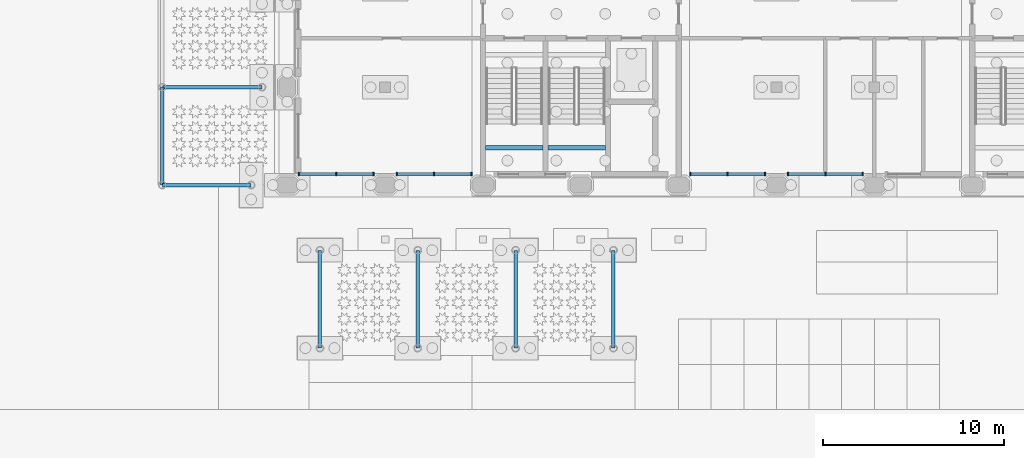
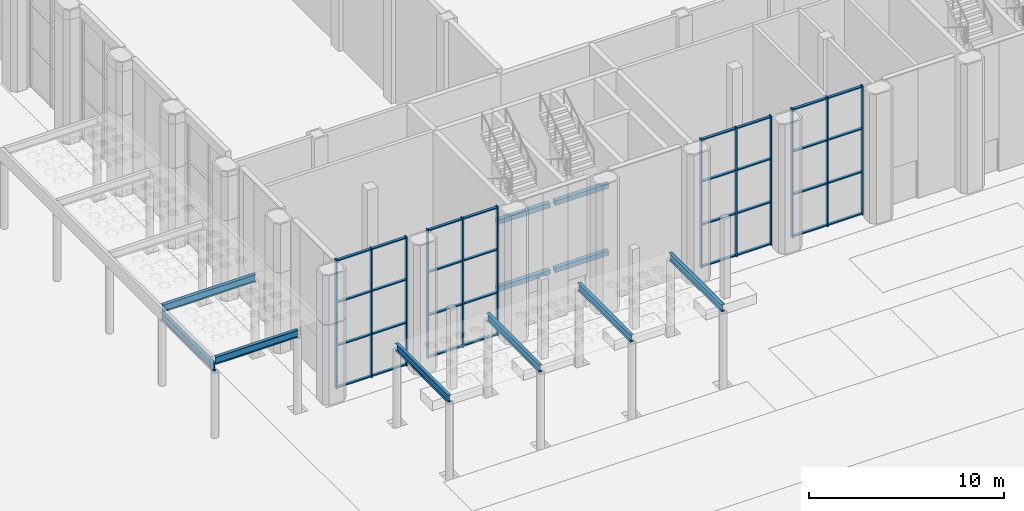
# One storey, part 11 of 54: 44 members, 11 beams, 4 elements without a shape of their own.
"""IFC4 building model written with IfcOpenShell, lengths in metres."""

from ifc_helpers import new_model, si_unit, direction, frame, origin, origin_2d, place, context, subcontext, project, spatial, rectangle, i_section, extrude, material, material_profile, profile_set, type_object, element, aggregate, save


model = new_model("IFC4")

# Units and contexts
model_context = context("Model", 3, precision=1e-05, world=origin(), true_north=direction((0.0, 1.0)))
body_context = subcontext(model_context, "Body", "Model", "MODEL_VIEW")
ifc_project = project(units=[si_unit("LENGTHUNIT", "METRE"), si_unit("AREAUNIT", "SQUARE_METRE"), si_unit("VOLUMEUNIT", "CUBIC_METRE"), si_unit("PLANEANGLEUNIT", "RADIAN"), si_unit("MASSUNIT", "GRAM", prefix="KILO")], contexts=[model_context])

# Site, building, storey
site_placement = place(None, origin())
site = spatial("IfcSite", under=ifc_project, at=site_placement, CompositionType="ELEMENT")
building_placement = place(site_placement, origin())
building = spatial("IfcBuilding", under=site, at=building_placement, Name="Tabaq Tower and Sports Hall", CompositionType="ELEMENT")
storey_placement = place(building_placement, origin())
storey = spatial("IfcBuildingStorey", under=building, at=storey_placement, Name="L00", CompositionType="ELEMENT", Elevation=0.0)

# Beams
ifc_material_1 = material(Name="Steel S355", Category="steel")
ifc_material_profile_1 = material_profile(ifc_material_1, i_section(OverallWidth=0.1904296875, OverallDepth=0.45703125, WebThickness=0.009033203125, FlangeThickness=0.014404296875, FilletRadius=0.01025390625, at=origin_2d()), Name="UB 457x191x74")
ifc_profile_set_1 = profile_set([ifc_material_profile_1], Name="Steel S355")
beam_type_1 = type_object("IfcBeamType", Name="CANOPY BEAM UB 457x191x74", PredefinedType="BEAM", material=ifc_profile_set_1)
beam_1_placement = place(storey_placement, frame((57.89990234375, 0.0, 4.771484375), z_axis=(1.0, 0.0, 0.0), x_axis=(0.0, 1.0, 0.0)))
element("IfcBeam", 1, at=beam_1_placement, inside=storey, type_object=beam_type_1, Name="Plaza canopy beam PC1", PredefinedType="BEAM", context=body_context, shape_type="SweptSolid", body=[
    extrude(i_section(OverallWidth=0.1904296875, OverallDepth=0.45703125, WebThickness=0.009033203125, FlangeThickness=0.014404296875, FilletRadius=0.01025390625, at=origin_2d()), origin(), (0.0, 0.0, 1.0), 4.900146484375),
])
beam_2_placement = place(storey_placement, frame((57.89990234375, 0.0, 4.314453125), z_axis=(0.0, 1.0, 0.0), x_axis=(-1.0, 0.0, 0.0)))
element("IfcBeam", 2, at=beam_2_placement, inside=storey, type_object=beam_type_1, Name="Plaza canopy edge beam PE1", PredefinedType="BEAM", context=body_context, shape_type="SweptSolid", body=[
    extrude(i_section(OverallWidth=0.1904296875, OverallDepth=0.45703125, WebThickness=0.009033203125, FlangeThickness=0.014404296875, FilletRadius=0.01025390625, at=origin_2d()), origin(), (0.0, 0.0, 1.0), 5.39990234375),
])
beam_3_placement = place(storey_placement, frame((57.89990234375, 5.39990234375, 4.771484375), z_axis=(1.0, 0.0, 0.0), x_axis=(0.0, 1.0, 0.0)))
element("IfcBeam", 3, at=beam_3_placement, inside=storey, type_object=beam_type_1, Name="Plaza canopy beam PC2", PredefinedType="BEAM", context=body_context, shape_type="SweptSolid", body=[
    extrude(i_section(OverallWidth=0.1904296875, OverallDepth=0.45703125, WebThickness=0.009033203125, FlangeThickness=0.014404296875, FilletRadius=0.01025390625, at=origin_2d()), origin(), (0.0, 0.0, 1.0), 5.5),
])
for number, where, z_axis, x_axis, name in (
    (4, (66.60009765625, -9.0, 4.771484375), (0.0, 1.0, 0.0), (-1.0, 0.0, 0.0), "Drop-off canopy beam DC1"),
    (5, (72.0, -9.0, 4.771484375), (0.0, 1.0, 0.0), (-1.0, 0.0, 0.0), "Drop-off canopy beam DC2"),
    (6, (77.39990234375, -9.0, 4.771484375), (0.0, 1.0, 0.0), (-1.0, 0.0, 0.0), "Drop-off canopy beam DC3"),
    (7, (82.800048828125, -9.0, 4.771484375), (0.0, 1.0, 0.0), (-1.0, 0.0, 0.0), "Drop-off canopy beam DC4"),
):
    element("IfcBeam", number, at=place(storey_placement, frame(where, z_axis=z_axis, x_axis=x_axis)), inside=storey, type_object=beam_type_1, Name=name, PredefinedType="BEAM", context=body_context, shape_type="SweptSolid", body=[
        extrude(i_section(OverallWidth=0.1904296875, OverallDepth=0.45703125, WebThickness=0.009033203125, FlangeThickness=0.014404296875, FilletRadius=0.01025390625, at=origin_2d()), origin(), (0.0, 0.0, 1.0), 5.39990234375),
    ])

# Curtain wall, members
ifc_material_2 = material(Name="Aluminium alloy 6063-T6 framed glazing", Category="aluminium")
curtain_wall_type = type_object("IfcCurtainWallType", Name="CW6 curtain wall", PredefinedType="USERDEFINED", material=ifc_material_2)
curtain_wall_1_placement = place(storey_placement, origin())
curtain_wall_1 = element("IfcCurtainWall", 8, at=curtain_wall_1_placement, inside=storey, type_object=curtain_wall_type, Name="L00 S hall glazing run", ObjectType="HALL FACADE WALL", PredefinedType="USERDEFINED")
ifc_material_3 = material(Name="Aluminium alloy 6063-T6", Category="aluminium")
ifc_material_profile_2 = material_profile(ifc_material_3, rectangle(XDim=0.199951171875, YDim=0.070068359375, at=origin_2d()), Name="MULLION 200x70")
ifc_profile_set_2 = profile_set([ifc_material_profile_2], Name="Aluminium alloy 6063-T6")
member_type_1 = type_object("IfcMemberType", Name="CW6 mullion 200x70", PredefinedType="MULLION", material=ifc_profile_set_2)
member_1_placement = place(storey_placement, frame((65.43505859375, 0.60009765625, 0.0), z_axis=(0.0, 0.0, 1.0), x_axis=(0.0, 1.0, 0.0)))
member_1 = element("IfcMember", 9, at=member_1_placement, type_object=member_type_1, Name="CW6 mullion 1", PredefinedType="MULLION", context=body_context, shape_type="SweptSolid", body=[
    extrude(rectangle(XDim=0.199951171875, YDim=0.070068359375, at=origin_2d()), origin(), (0.0, 0.0, 1.0), 8.10009765625),
])
member_2_placement = place(storey_placement, frame((67.5, 0.60009765625, 0.0), z_axis=(0.0, 0.0, 1.0), x_axis=(0.0, 1.0, 0.0)))
member_2 = element("IfcMember", 10, at=member_2_placement, type_object=member_type_1, Name="CW6 mullion 2", PredefinedType="MULLION", context=body_context, shape_type="SweptSolid", body=[
    extrude(rectangle(XDim=0.199951171875, YDim=0.070068359375, at=origin_2d()), origin(), (0.0, 0.0, 1.0), 8.10009765625),
])
member_3_placement = place(storey_placement, frame((69.56494140625, 0.60009765625, 0.0), z_axis=(0.0, 0.0, 1.0), x_axis=(0.0, 1.0, 0.0)))
member_3 = element("IfcMember", 11, at=member_3_placement, type_object=member_type_1, Name="CW6 mullion 3", PredefinedType="MULLION", context=body_context, shape_type="SweptSolid", body=[
    extrude(rectangle(XDim=0.199951171875, YDim=0.070068359375, at=origin_2d()), origin(), (0.0, 0.0, 1.0), 8.10009765625),
])

curtain_wall_2_placement = place(storey_placement, origin())
curtain_wall_2 = element("IfcCurtainWall", 12, at=curtain_wall_2_placement, inside=storey, type_object=curtain_wall_type, Name="L00 S hall glazing run", ObjectType="HALL FACADE WALL", PredefinedType="USERDEFINED")
member_4_placement = place(storey_placement, frame((70.8349609375, 0.60009765625, 0.0), z_axis=(0.0, 0.0, 1.0), x_axis=(0.0, 1.0, 0.0)))
member_4 = element("IfcMember", 13, at=member_4_placement, type_object=member_type_1, Name="CW6 mullion 1", PredefinedType="MULLION", context=body_context, shape_type="SweptSolid", body=[
    extrude(rectangle(XDim=0.199951171875, YDim=0.070068359375, at=origin_2d()), origin(), (0.0, 0.0, 1.0), 8.10009765625),
])
member_5_placement = place(storey_placement, frame((72.89990234375, 0.60009765625, 0.0), z_axis=(0.0, 0.0, 1.0), x_axis=(0.0, 1.0, 0.0)))
member_5 = element("IfcMember", 14, at=member_5_placement, type_object=member_type_1, Name="CW6 mullion 2", PredefinedType="MULLION", context=body_context, shape_type="SweptSolid", body=[
    extrude(rectangle(XDim=0.199951171875, YDim=0.070068359375, at=origin_2d()), origin(), (0.0, 0.0, 1.0), 8.10009765625),
])
member_6_placement = place(storey_placement, frame((74.965087890625, 0.60009765625, 0.0), z_axis=(0.0, 0.0, 1.0), x_axis=(0.0, 1.0, 0.0)))
member_6 = element("IfcMember", 15, at=member_6_placement, type_object=member_type_1, Name="CW6 mullion 3", PredefinedType="MULLION", context=body_context, shape_type="SweptSolid", body=[
    extrude(rectangle(XDim=0.199951171875, YDim=0.070068359375, at=origin_2d()), origin(), (0.0, 0.0, 1.0), 8.10009765625),
])

curtain_wall_3_placement = place(storey_placement, origin())
curtain_wall_3 = element("IfcCurtainWall", 16, at=curtain_wall_3_placement, inside=storey, type_object=curtain_wall_type, Name="L00 S hall glazing run", ObjectType="HALL FACADE WALL", PredefinedType="USERDEFINED")
member_7_placement = place(storey_placement, frame((87.034912109375, 0.60009765625, 0.0), z_axis=(0.0, 0.0, 1.0), x_axis=(0.0, 1.0, 0.0)))
member_7 = element("IfcMember", 17, at=member_7_placement, type_object=member_type_1, Name="CW6 mullion 1", PredefinedType="MULLION", context=body_context, shape_type="SweptSolid", body=[
    extrude(rectangle(XDim=0.199951171875, YDim=0.070068359375, at=origin_2d()), origin(), (0.0, 0.0, 1.0), 8.10009765625),
])
member_8_placement = place(storey_placement, frame((89.10009765625, 0.60009765625, 0.0), z_axis=(0.0, 0.0, 1.0), x_axis=(0.0, 1.0, 0.0)))
member_8 = element("IfcMember", 18, at=member_8_placement, type_object=member_type_1, Name="CW6 mullion 2", PredefinedType="MULLION", context=body_context, shape_type="SweptSolid", body=[
    extrude(rectangle(XDim=0.199951171875, YDim=0.070068359375, at=origin_2d()), origin(), (0.0, 0.0, 1.0), 8.10009765625),
])
member_9_placement = place(storey_placement, frame((91.1650390625, 0.60009765625, 0.0), z_axis=(0.0, 0.0, 1.0), x_axis=(0.0, 1.0, 0.0)))
member_9 = element("IfcMember", 19, at=member_9_placement, type_object=member_type_1, Name="CW6 mullion 3", PredefinedType="MULLION", context=body_context, shape_type="SweptSolid", body=[
    extrude(rectangle(XDim=0.199951171875, YDim=0.070068359375, at=origin_2d()), origin(), (0.0, 0.0, 1.0), 8.10009765625),
])

curtain_wall_4_placement = place(storey_placement, origin())
curtain_wall_4 = element("IfcCurtainWall", 20, at=curtain_wall_4_placement, inside=storey, type_object=curtain_wall_type, Name="L00 S hall glazing run", ObjectType="HALL FACADE WALL", PredefinedType="USERDEFINED")
member_10_placement = place(storey_placement, frame((92.43505859375, 0.60009765625, 0.0), z_axis=(0.0, 0.0, 1.0), x_axis=(0.0, 1.0, 0.0)))
member_10 = element("IfcMember", 21, at=member_10_placement, type_object=member_type_1, Name="CW6 mullion 1", PredefinedType="MULLION", context=body_context, shape_type="SweptSolid", body=[
    extrude(rectangle(XDim=0.199951171875, YDim=0.070068359375, at=origin_2d()), origin(), (0.0, 0.0, 1.0), 8.10009765625),
])
member_11_placement = place(storey_placement, frame((94.5, 0.60009765625, 0.0), z_axis=(0.0, 0.0, 1.0), x_axis=(0.0, 1.0, 0.0)))
member_11 = element("IfcMember", 22, at=member_11_placement, type_object=member_type_1, Name="CW6 mullion 2", PredefinedType="MULLION", context=body_context, shape_type="SweptSolid", body=[
    extrude(rectangle(XDim=0.199951171875, YDim=0.070068359375, at=origin_2d()), origin(), (0.0, 0.0, 1.0), 8.10009765625),
])
member_12_placement = place(storey_placement, frame((96.56494140625, 0.60009765625, 0.0), z_axis=(0.0, 0.0, 1.0), x_axis=(0.0, 1.0, 0.0)))
member_12 = element("IfcMember", 23, at=member_12_placement, type_object=member_type_1, Name="CW6 mullion 3", PredefinedType="MULLION", context=body_context, shape_type="SweptSolid", body=[
    extrude(rectangle(XDim=0.199951171875, YDim=0.070068359375, at=origin_2d()), origin(), (0.0, 0.0, 1.0), 8.10009765625),
])

# Member
ifc_material_4 = material(Name="Aluminium alloy 6063-T6", Category="aluminium")
ifc_material_profile_3 = material_profile(ifc_material_4, rectangle(XDim=0.159912109375, YDim=0.070068359375, at=origin_2d()), Name="TRANSOM 160x70")
ifc_profile_set_3 = profile_set([ifc_material_profile_3], Name="Aluminium alloy 6063-T6")
member_type_2 = type_object("IfcMemberType", Name="CW6 transom 160x70", PredefinedType="USERDEFINED", material=ifc_profile_set_3)
member_13_placement = place(storey_placement, frame((65.469970703125, 0.60009765625, 0.080078125), z_axis=(1.0, 0.0, 0.0), x_axis=(0.0, 1.0, 0.0)))
member_13 = element("IfcMember", 24, at=member_13_placement, type_object=member_type_2, Name="CW6 transom 1.1", ObjectType="TRANSOM", PredefinedType="USERDEFINED", context=body_context, shape_type="SweptSolid", body=[
    extrude(rectangle(XDim=0.159912109375, YDim=0.070068359375, at=origin_2d()), origin(), (0.0, 0.0, 1.0), 1.9951171875),
])

member_14_placement = place(storey_placement, frame((65.469970703125, 0.60009765625, 2.699951171875), z_axis=(1.0, 0.0, 0.0), x_axis=(0.0, 1.0, 0.0)))
member_14 = element("IfcMember", 25, at=member_14_placement, type_object=member_type_2, Name="CW6 transom 1.2", ObjectType="TRANSOM", PredefinedType="USERDEFINED", context=body_context, shape_type="SweptSolid", body=[
    extrude(rectangle(XDim=0.159912109375, YDim=0.070068359375, at=origin_2d()), origin(), (0.0, 0.0, 1.0), 1.9951171875),
])

member_15_placement = place(storey_placement, frame((65.469970703125, 0.60009765625, 5.39990234375), z_axis=(1.0, 0.0, 0.0), x_axis=(0.0, 1.0, 0.0)))
member_15 = element("IfcMember", 26, at=member_15_placement, type_object=member_type_2, Name="CW6 transom 1.3", ObjectType="TRANSOM", PredefinedType="USERDEFINED", context=body_context, shape_type="SweptSolid", body=[
    extrude(rectangle(XDim=0.159912109375, YDim=0.070068359375, at=origin_2d()), origin(), (0.0, 0.0, 1.0), 1.9951171875),
])

member_16_placement = place(storey_placement, frame((65.469970703125, 0.60009765625, 8.02001953125), z_axis=(1.0, 0.0, 0.0), x_axis=(0.0, 1.0, 0.0)))
member_16 = element("IfcMember", 27, at=member_16_placement, type_object=member_type_2, Name="CW6 transom 1.4", ObjectType="TRANSOM", PredefinedType="USERDEFINED", context=body_context, shape_type="SweptSolid", body=[
    extrude(rectangle(XDim=0.159912109375, YDim=0.070068359375, at=origin_2d()), origin(), (0.0, 0.0, 1.0), 1.9951171875),
])

member_17_placement = place(storey_placement, frame((67.534912109375, 0.60009765625, 0.080078125), z_axis=(1.0, 0.0, 0.0), x_axis=(0.0, 1.0, 0.0)))
member_17 = element("IfcMember", 28, at=member_17_placement, type_object=member_type_2, Name="CW6 transom 2.1", ObjectType="TRANSOM", PredefinedType="USERDEFINED", context=body_context, shape_type="SweptSolid", body=[
    extrude(rectangle(XDim=0.159912109375, YDim=0.070068359375, at=origin_2d()), origin(), (0.0, 0.0, 1.0), 1.9951171875),
])

member_18_placement = place(storey_placement, frame((67.534912109375, 0.60009765625, 2.699951171875), z_axis=(1.0, 0.0, 0.0), x_axis=(0.0, 1.0, 0.0)))
member_18 = element("IfcMember", 29, at=member_18_placement, type_object=member_type_2, Name="CW6 transom 2.2", ObjectType="TRANSOM", PredefinedType="USERDEFINED", context=body_context, shape_type="SweptSolid", body=[
    extrude(rectangle(XDim=0.159912109375, YDim=0.070068359375, at=origin_2d()), origin(), (0.0, 0.0, 1.0), 1.9951171875),
])

member_19_placement = place(storey_placement, frame((67.534912109375, 0.60009765625, 5.39990234375), z_axis=(1.0, 0.0, 0.0), x_axis=(0.0, 1.0, 0.0)))
member_19 = element("IfcMember", 30, at=member_19_placement, type_object=member_type_2, Name="CW6 transom 2.3", ObjectType="TRANSOM", PredefinedType="USERDEFINED", context=body_context, shape_type="SweptSolid", body=[
    extrude(rectangle(XDim=0.159912109375, YDim=0.070068359375, at=origin_2d()), origin(), (0.0, 0.0, 1.0), 1.9951171875),
])

member_20_placement = place(storey_placement, frame((67.534912109375, 0.60009765625, 8.02001953125), z_axis=(1.0, 0.0, 0.0), x_axis=(0.0, 1.0, 0.0)))
member_20 = element("IfcMember", 31, at=member_20_placement, type_object=member_type_2, Name="CW6 transom 2.4", ObjectType="TRANSOM", PredefinedType="USERDEFINED", context=body_context, shape_type="SweptSolid", body=[
    extrude(rectangle(XDim=0.159912109375, YDim=0.070068359375, at=origin_2d()), origin(), (0.0, 0.0, 1.0), 1.9951171875),
])

aggregate(curtain_wall_1, [member_1, member_2, member_3, member_13, member_14, member_15, member_16, member_17, member_18, member_19, member_20])

member_21_placement = place(storey_placement, frame((70.8701171875, 0.60009765625, 0.080078125), z_axis=(1.0, 0.0, 0.0), x_axis=(0.0, 1.0, 0.0)))
member_21 = element("IfcMember", 32, at=member_21_placement, type_object=member_type_2, Name="CW6 transom 1.1", ObjectType="TRANSOM", PredefinedType="USERDEFINED", context=body_context, shape_type="SweptSolid", body=[
    extrude(rectangle(XDim=0.159912109375, YDim=0.070068359375, at=origin_2d()), origin(), (0.0, 0.0, 1.0), 1.994873046875),
])

member_22_placement = place(storey_placement, frame((70.8701171875, 0.60009765625, 2.699951171875), z_axis=(1.0, 0.0, 0.0), x_axis=(0.0, 1.0, 0.0)))
member_22 = element("IfcMember", 33, at=member_22_placement, type_object=member_type_2, Name="CW6 transom 1.2", ObjectType="TRANSOM", PredefinedType="USERDEFINED", context=body_context, shape_type="SweptSolid", body=[
    extrude(rectangle(XDim=0.159912109375, YDim=0.070068359375, at=origin_2d()), origin(), (0.0, 0.0, 1.0), 1.994873046875),
])

member_23_placement = place(storey_placement, frame((70.8701171875, 0.60009765625, 5.39990234375), z_axis=(1.0, 0.0, 0.0), x_axis=(0.0, 1.0, 0.0)))
member_23 = element("IfcMember", 34, at=member_23_placement, type_object=member_type_2, Name="CW6 transom 1.3", ObjectType="TRANSOM", PredefinedType="USERDEFINED", context=body_context, shape_type="SweptSolid", body=[
    extrude(rectangle(XDim=0.159912109375, YDim=0.070068359375, at=origin_2d()), origin(), (0.0, 0.0, 1.0), 1.994873046875),
])

member_24_placement = place(storey_placement, frame((70.8701171875, 0.60009765625, 8.02001953125), z_axis=(1.0, 0.0, 0.0), x_axis=(0.0, 1.0, 0.0)))
member_24 = element("IfcMember", 35, at=member_24_placement, type_object=member_type_2, Name="CW6 transom 1.4", ObjectType="TRANSOM", PredefinedType="USERDEFINED", context=body_context, shape_type="SweptSolid", body=[
    extrude(rectangle(XDim=0.159912109375, YDim=0.070068359375, at=origin_2d()), origin(), (0.0, 0.0, 1.0), 1.994873046875),
])

member_25_placement = place(storey_placement, frame((72.93505859375, 0.60009765625, 0.080078125), z_axis=(1.0, 0.0, 0.0), x_axis=(0.0, 1.0, 0.0)))
member_25 = element("IfcMember", 36, at=member_25_placement, type_object=member_type_2, Name="CW6 transom 2.1", ObjectType="TRANSOM", PredefinedType="USERDEFINED", context=body_context, shape_type="SweptSolid", body=[
    extrude(rectangle(XDim=0.159912109375, YDim=0.070068359375, at=origin_2d()), origin(), (0.0, 0.0, 1.0), 1.994873046875),
])

member_26_placement = place(storey_placement, frame((72.93505859375, 0.60009765625, 2.699951171875), z_axis=(1.0, 0.0, 0.0), x_axis=(0.0, 1.0, 0.0)))
member_26 = element("IfcMember", 37, at=member_26_placement, type_object=member_type_2, Name="CW6 transom 2.2", ObjectType="TRANSOM", PredefinedType="USERDEFINED", context=body_context, shape_type="SweptSolid", body=[
    extrude(rectangle(XDim=0.159912109375, YDim=0.070068359375, at=origin_2d()), origin(), (0.0, 0.0, 1.0), 1.994873046875),
])

member_27_placement = place(storey_placement, frame((72.93505859375, 0.60009765625, 5.39990234375), z_axis=(1.0, 0.0, 0.0), x_axis=(0.0, 1.0, 0.0)))
member_27 = element("IfcMember", 38, at=member_27_placement, type_object=member_type_2, Name="CW6 transom 2.3", ObjectType="TRANSOM", PredefinedType="USERDEFINED", context=body_context, shape_type="SweptSolid", body=[
    extrude(rectangle(XDim=0.159912109375, YDim=0.070068359375, at=origin_2d()), origin(), (0.0, 0.0, 1.0), 1.994873046875),
])

member_28_placement = place(storey_placement, frame((72.93505859375, 0.60009765625, 8.02001953125), z_axis=(1.0, 0.0, 0.0), x_axis=(0.0, 1.0, 0.0)))
member_28 = element("IfcMember", 39, at=member_28_placement, type_object=member_type_2, Name="CW6 transom 2.4", ObjectType="TRANSOM", PredefinedType="USERDEFINED", context=body_context, shape_type="SweptSolid", body=[
    extrude(rectangle(XDim=0.159912109375, YDim=0.070068359375, at=origin_2d()), origin(), (0.0, 0.0, 1.0), 1.994873046875),
])

aggregate(curtain_wall_2, [member_4, member_5, member_6, member_21, member_22, member_23, member_24, member_25, member_26, member_27, member_28])

member_29_placement = place(storey_placement, frame((87.070068359375, 0.60009765625, 0.080078125), z_axis=(1.0, 0.0, 0.0), x_axis=(0.0, 1.0, 0.0)))
member_29 = element("IfcMember", 40, at=member_29_placement, type_object=member_type_2, Name="CW6 transom 1.1", ObjectType="TRANSOM", PredefinedType="USERDEFINED", context=body_context, shape_type="SweptSolid", body=[
    extrude(rectangle(XDim=0.159912109375, YDim=0.070068359375, at=origin_2d()), origin(), (0.0, 0.0, 1.0), 1.994873046875),
])

member_30_placement = place(storey_placement, frame((87.070068359375, 0.60009765625, 2.699951171875), z_axis=(1.0, 0.0, 0.0), x_axis=(0.0, 1.0, 0.0)))
member_30 = element("IfcMember", 41, at=member_30_placement, type_object=member_type_2, Name="CW6 transom 1.2", ObjectType="TRANSOM", PredefinedType="USERDEFINED", context=body_context, shape_type="SweptSolid", body=[
    extrude(rectangle(XDim=0.159912109375, YDim=0.070068359375, at=origin_2d()), origin(), (0.0, 0.0, 1.0), 1.994873046875),
])

member_31_placement = place(storey_placement, frame((87.070068359375, 0.60009765625, 5.39990234375), z_axis=(1.0, 0.0, 0.0), x_axis=(0.0, 1.0, 0.0)))
member_31 = element("IfcMember", 42, at=member_31_placement, type_object=member_type_2, Name="CW6 transom 1.3", ObjectType="TRANSOM", PredefinedType="USERDEFINED", context=body_context, shape_type="SweptSolid", body=[
    extrude(rectangle(XDim=0.159912109375, YDim=0.070068359375, at=origin_2d()), origin(), (0.0, 0.0, 1.0), 1.994873046875),
])

member_32_placement = place(storey_placement, frame((87.070068359375, 0.60009765625, 8.02001953125), z_axis=(1.0, 0.0, 0.0), x_axis=(0.0, 1.0, 0.0)))
member_32 = element("IfcMember", 43, at=member_32_placement, type_object=member_type_2, Name="CW6 transom 1.4", ObjectType="TRANSOM", PredefinedType="USERDEFINED", context=body_context, shape_type="SweptSolid", body=[
    extrude(rectangle(XDim=0.159912109375, YDim=0.070068359375, at=origin_2d()), origin(), (0.0, 0.0, 1.0), 1.994873046875),
])

member_33_placement = place(storey_placement, frame((89.135009765625, 0.60009765625, 0.080078125), z_axis=(1.0, 0.0, 0.0), x_axis=(0.0, 1.0, 0.0)))
member_33 = element("IfcMember", 44, at=member_33_placement, type_object=member_type_2, Name="CW6 transom 2.1", ObjectType="TRANSOM", PredefinedType="USERDEFINED", context=body_context, shape_type="SweptSolid", body=[
    extrude(rectangle(XDim=0.159912109375, YDim=0.070068359375, at=origin_2d()), origin(), (0.0, 0.0, 1.0), 1.994873046875),
])

member_34_placement = place(storey_placement, frame((89.135009765625, 0.60009765625, 2.699951171875), z_axis=(1.0, 0.0, 0.0), x_axis=(0.0, 1.0, 0.0)))
member_34 = element("IfcMember", 45, at=member_34_placement, type_object=member_type_2, Name="CW6 transom 2.2", ObjectType="TRANSOM", PredefinedType="USERDEFINED", context=body_context, shape_type="SweptSolid", body=[
    extrude(rectangle(XDim=0.159912109375, YDim=0.070068359375, at=origin_2d()), origin(), (0.0, 0.0, 1.0), 1.994873046875),
])

member_35_placement = place(storey_placement, frame((89.135009765625, 0.60009765625, 5.39990234375), z_axis=(1.0, 0.0, 0.0), x_axis=(0.0, 1.0, 0.0)))
member_35 = element("IfcMember", 46, at=member_35_placement, type_object=member_type_2, Name="CW6 transom 2.3", ObjectType="TRANSOM", PredefinedType="USERDEFINED", context=body_context, shape_type="SweptSolid", body=[
    extrude(rectangle(XDim=0.159912109375, YDim=0.070068359375, at=origin_2d()), origin(), (0.0, 0.0, 1.0), 1.994873046875),
])

member_36_placement = place(storey_placement, frame((89.135009765625, 0.60009765625, 8.02001953125), z_axis=(1.0, 0.0, 0.0), x_axis=(0.0, 1.0, 0.0)))
member_36 = element("IfcMember", 47, at=member_36_placement, type_object=member_type_2, Name="CW6 transom 2.4", ObjectType="TRANSOM", PredefinedType="USERDEFINED", context=body_context, shape_type="SweptSolid", body=[
    extrude(rectangle(XDim=0.159912109375, YDim=0.070068359375, at=origin_2d()), origin(), (0.0, 0.0, 1.0), 1.994873046875),
])

aggregate(curtain_wall_3, [member_7, member_8, member_9, member_29, member_30, member_31, member_32, member_33, member_34, member_35, member_36])

member_37_placement = place(storey_placement, frame((92.469970703125, 0.60009765625, 0.080078125), z_axis=(1.0, 0.0, 0.0), x_axis=(0.0, 1.0, 0.0)))
member_37 = element("IfcMember", 48, at=member_37_placement, type_object=member_type_2, Name="CW6 transom 1.1", ObjectType="TRANSOM", PredefinedType="USERDEFINED", context=body_context, shape_type="SweptSolid", body=[
    extrude(rectangle(XDim=0.159912109375, YDim=0.070068359375, at=origin_2d()), origin(), (0.0, 0.0, 1.0), 1.9951171875),
])

member_38_placement = place(storey_placement, frame((92.469970703125, 0.60009765625, 2.699951171875), z_axis=(1.0, 0.0, 0.0), x_axis=(0.0, 1.0, 0.0)))
member_38 = element("IfcMember", 49, at=member_38_placement, type_object=member_type_2, Name="CW6 transom 1.2", ObjectType="TRANSOM", PredefinedType="USERDEFINED", context=body_context, shape_type="SweptSolid", body=[
    extrude(rectangle(XDim=0.159912109375, YDim=0.070068359375, at=origin_2d()), origin(), (0.0, 0.0, 1.0), 1.9951171875),
])

member_39_placement = place(storey_placement, frame((92.469970703125, 0.60009765625, 5.39990234375), z_axis=(1.0, 0.0, 0.0), x_axis=(0.0, 1.0, 0.0)))
member_39 = element("IfcMember", 50, at=member_39_placement, type_object=member_type_2, Name="CW6 transom 1.3", ObjectType="TRANSOM", PredefinedType="USERDEFINED", context=body_context, shape_type="SweptSolid", body=[
    extrude(rectangle(XDim=0.159912109375, YDim=0.070068359375, at=origin_2d()), origin(), (0.0, 0.0, 1.0), 1.9951171875),
])

member_40_placement = place(storey_placement, frame((92.469970703125, 0.60009765625, 8.02001953125), z_axis=(1.0, 0.0, 0.0), x_axis=(0.0, 1.0, 0.0)))
member_40 = element("IfcMember", 51, at=member_40_placement, type_object=member_type_2, Name="CW6 transom 1.4", ObjectType="TRANSOM", PredefinedType="USERDEFINED", context=body_context, shape_type="SweptSolid", body=[
    extrude(rectangle(XDim=0.159912109375, YDim=0.070068359375, at=origin_2d()), origin(), (0.0, 0.0, 1.0), 1.9951171875),
])

member_41_placement = place(storey_placement, frame((94.534912109375, 0.60009765625, 0.080078125), z_axis=(1.0, 0.0, 0.0), x_axis=(0.0, 1.0, 0.0)))
member_41 = element("IfcMember", 52, at=member_41_placement, type_object=member_type_2, Name="CW6 transom 2.1", ObjectType="TRANSOM", PredefinedType="USERDEFINED", context=body_context, shape_type="SweptSolid", body=[
    extrude(rectangle(XDim=0.159912109375, YDim=0.070068359375, at=origin_2d()), origin(), (0.0, 0.0, 1.0), 1.9951171875),
])

member_42_placement = place(storey_placement, frame((94.534912109375, 0.60009765625, 2.699951171875), z_axis=(1.0, 0.0, 0.0), x_axis=(0.0, 1.0, 0.0)))
member_42 = element("IfcMember", 53, at=member_42_placement, type_object=member_type_2, Name="CW6 transom 2.2", ObjectType="TRANSOM", PredefinedType="USERDEFINED", context=body_context, shape_type="SweptSolid", body=[
    extrude(rectangle(XDim=0.159912109375, YDim=0.070068359375, at=origin_2d()), origin(), (0.0, 0.0, 1.0), 1.9951171875),
])

member_43_placement = place(storey_placement, frame((94.534912109375, 0.60009765625, 5.39990234375), z_axis=(1.0, 0.0, 0.0), x_axis=(0.0, 1.0, 0.0)))
member_43 = element("IfcMember", 54, at=member_43_placement, type_object=member_type_2, Name="CW6 transom 2.3", ObjectType="TRANSOM", PredefinedType="USERDEFINED", context=body_context, shape_type="SweptSolid", body=[
    extrude(rectangle(XDim=0.159912109375, YDim=0.070068359375, at=origin_2d()), origin(), (0.0, 0.0, 1.0), 1.9951171875),
])

member_44_placement = place(storey_placement, frame((94.534912109375, 0.60009765625, 8.02001953125), z_axis=(1.0, 0.0, 0.0), x_axis=(0.0, 1.0, 0.0)))
member_44 = element("IfcMember", 55, at=member_44_placement, type_object=member_type_2, Name="CW6 transom 2.4", ObjectType="TRANSOM", PredefinedType="USERDEFINED", context=body_context, shape_type="SweptSolid", body=[
    extrude(rectangle(XDim=0.159912109375, YDim=0.070068359375, at=origin_2d()), origin(), (0.0, 0.0, 1.0), 1.9951171875),
])

aggregate(curtain_wall_4, [member_10, member_11, member_12, member_37, member_38, member_39, member_40, member_41, member_42, member_43, member_44])

# Beams
ifc_material_5 = material(Name="Concrete C50/60", Category="concrete")
ifc_material_profile_4 = material_profile(ifc_material_5, rectangle(XDim=0.25, YDim=0.300048828125, at=origin_2d()), Name="RC 250x300")
ifc_profile_set_4 = profile_set([ifc_material_profile_4], Name="Concrete C50/60")
beam_type_2 = type_object("IfcBeamType", Name="HALL STAIR LANDING BEAM 250x300", PredefinedType="BEAM", material=ifc_profile_set_4)
for number, where, z_axis, x_axis, name in (
    (56, (75.75, 2.06005859375, 1.75), (1.0, 0.0, 0.0), (0.0, 1.0, 0.0), "L00 ST-H1 landing beam 1"),
    (57, (75.75, 2.06005859375, 5.949951171875), (1.0, 0.0, 0.0), (0.0, 1.0, 0.0), "L00 ST-H1 landing beam 3"),
):
    element("IfcBeam", number, at=place(storey_placement, frame(where, z_axis=z_axis, x_axis=x_axis)), inside=storey, type_object=beam_type_2, Name=name, PredefinedType="BEAM", context=body_context, shape_type="SweptSolid", body=[
        extrude(rectangle(XDim=0.25, YDim=0.300048828125, at=origin_2d()), origin(), (0.0, 0.0, 1.0), 3.14990234375),
    ])
for number, where, z_axis, x_axis, name in (
    (58, (79.199951171875, 2.06005859375, 1.75), (1.0, 0.0, 0.0), (0.0, 1.0, 0.0), "L00 ST-H2 landing beam 1"),
    (59, (79.199951171875, 2.06005859375, 5.949951171875), (1.0, 0.0, 0.0), (0.0, 1.0, 0.0), "L00 ST-H2 landing beam 3"),
):
    element("IfcBeam", number, at=place(storey_placement, frame(where, z_axis=z_axis, x_axis=x_axis)), inside=storey, type_object=beam_type_2, Name=name, PredefinedType="BEAM", context=body_context, shape_type="SweptSolid", body=[
        extrude(rectangle(XDim=0.25, YDim=0.300048828125, at=origin_2d()), origin(), (0.0, 0.0, 1.0), 3.150146484375),
    ])

save(model, "model.ifc")
